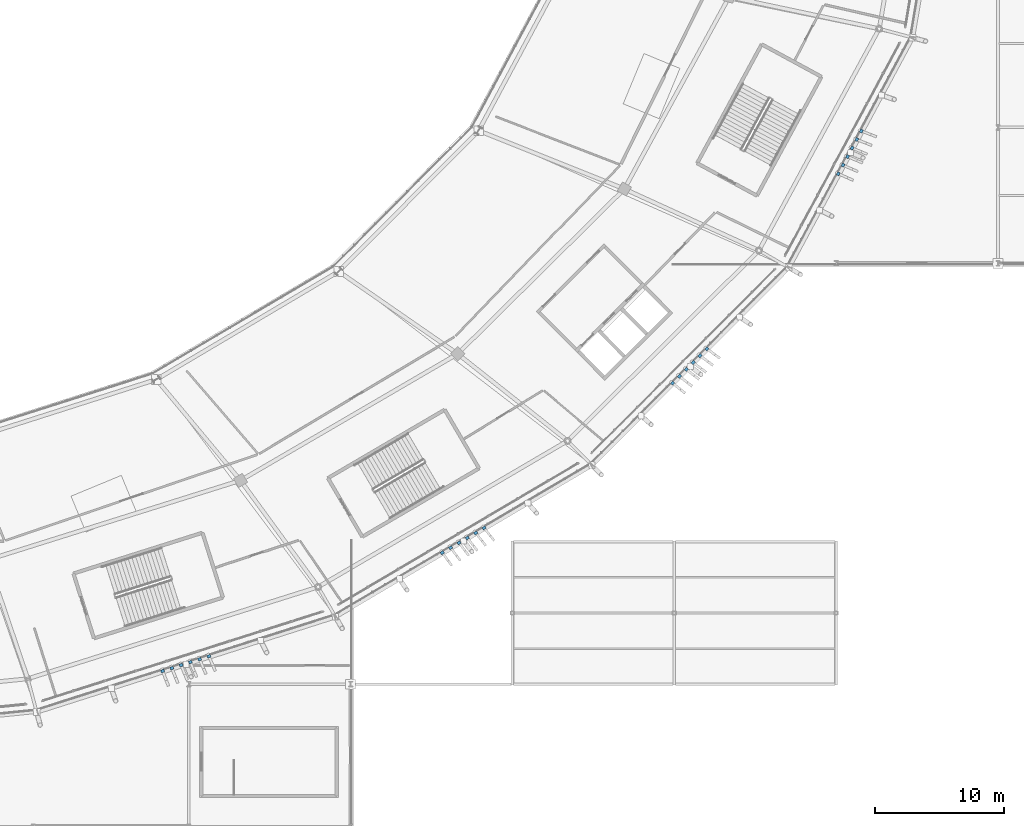
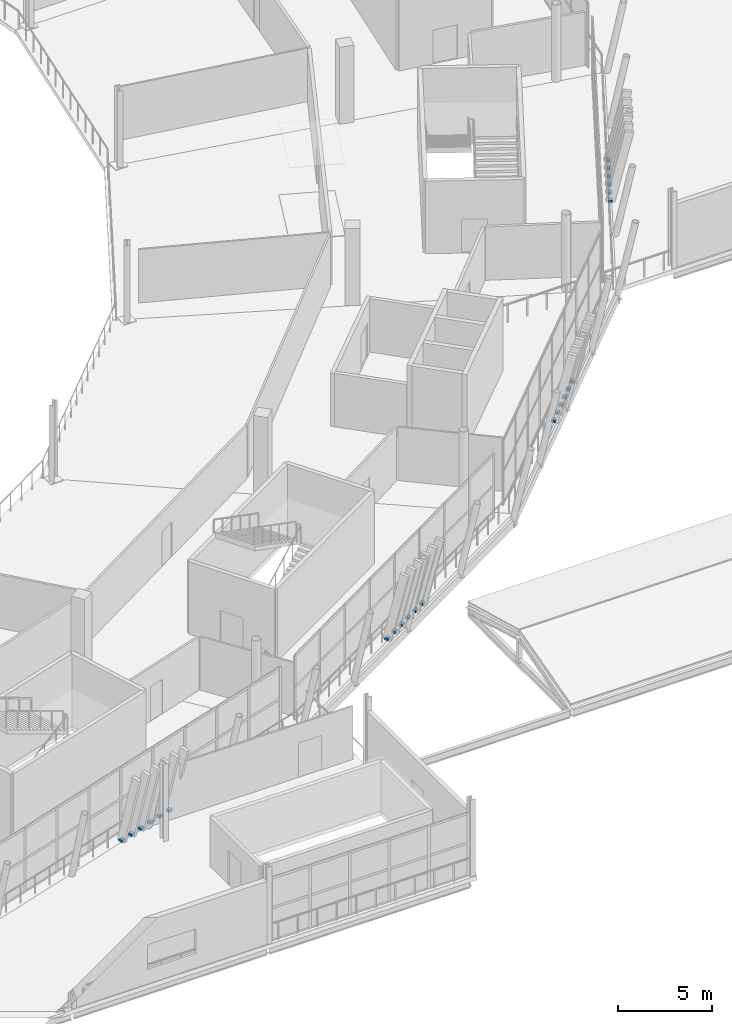
# One storey, part 142 of 179: 24 discrete accessories.
"""IFC4 building model written with IfcOpenShell, lengths in metres."""

from ifc_helpers import new_model, si_unit, direction, frame, origin, origin_2d, place, context, subcontext, project, spatial, rectangle, extrude, material, type_object, element, save


model = new_model("IFC4")

# Units and contexts
model_context = context("Model", 3, precision=1e-05, world=origin(), true_north=direction((0.0, 1.0)))
body_context = subcontext(model_context, "Body", "Model", "MODEL_VIEW")
ifc_project = project(units=[si_unit("LENGTHUNIT", "METRE"), si_unit("AREAUNIT", "SQUARE_METRE"), si_unit("VOLUMEUNIT", "CUBIC_METRE"), si_unit("PLANEANGLEUNIT", "RADIAN"), si_unit("MASSUNIT", "GRAM", prefix="KILO")], contexts=[model_context])

# Site, building, storey
site_placement = place(None, origin())
site = spatial("IfcSite", under=ifc_project, at=site_placement, CompositionType="ELEMENT")
building_placement = place(site_placement, origin())
building = spatial("IfcBuilding", under=site, at=building_placement, Name="Zlatoyarsky Gate Stadium", CompositionType="ELEMENT")
storey_placement = place(building_placement, frame((0.0, 0.0, 10.60009765625)))
storey = spatial("IfcBuildingStorey", under=building, at=storey_placement, Name="L02", CompositionType="ELEMENT", Elevation=10.60009765625)

# Discrete accessories
ifc_material = material(Name="Steel S355", Category="steel")
discrete_accessory_type = type_object("IfcDiscreteAccessoryType", Name="STEEL LOUVRE ANCHOR BRACKET 260X220X160", PredefinedType="BRACKET", material=ifc_material)
for number, where, z_axis, x_axis, name in (
    (1, (145.483642578125, 12.018310546875, -0.02001953125), (0.0, 0.0, 1.0), (0.952730972703, 0.303815229459, 0.0), "Louvre anchor bracket L02-19-1"),
    (2, (146.1982421875, 12.24609375, -0.02001953125), (0.0, 0.0, 1.0), (0.952730972703, 0.303815229459, 0.0), "Louvre anchor bracket L02-19-2"),
    (3, (146.91259765625, 12.47412109375, -0.02001953125), (0.0, 0.0, 1.0), (0.952730972703, 0.303815229459, 0.0), "Louvre anchor bracket L02-19-3"),
    (4, (147.627197265625, 12.701904296875, -0.02001953125), (0.0, 0.0, 1.0), (0.952730972703, 0.303815229459, 0.0), "Louvre anchor bracket L02-19-4"),
    (5, (148.341796875, 12.9296875, -0.02001953125), (0.0, 0.0, 1.0), (0.952730972703, 0.303815229459, 0.0), "Louvre anchor bracket L02-19-5"),
    (6, (149.056396484375, 13.15771484375, -0.02001953125), (0.0, 0.0, 1.0), (0.952730972703, 0.303815229459, 0.0), "Louvre anchor bracket L02-19-6"),
    (7, (167.0830078125, 21.158203125, -0.02001953125), (0.0, 0.0, 1.0), (0.860991539647, 0.508619276725, 0.0), "Louvre anchor bracket L02-20-1"),
    (8, (167.728515625, 21.539794921875, -0.02001953125), (0.0, 0.0, 1.0), (0.860991539647, 0.508619276725, 0.0), "Louvre anchor bracket L02-20-2"),
    (9, (168.37451171875, 21.921142578125, -0.02001953125), (0.0, 0.0, 1.0), (0.860991539647, 0.508619276725, 0.0), "Louvre anchor bracket L02-20-3"),
    (10, (169.02001953125, 22.302734375, -0.02001953125), (0.0, 0.0, 1.0), (0.860991539647, 0.508619276725, 0.0), "Louvre anchor bracket L02-20-4"),
    (11, (169.666015625, 22.68408203125, -0.02001953125), (0.0, 0.0, 1.0), (0.860991539647, 0.508619276725, 0.0), "Louvre anchor bracket L02-20-5"),
    (12, (170.3115234375, 23.065673828125, -0.02001953125), (0.0, 0.0, 1.0), (0.860991539647, 0.508619276725, 0.0), "Louvre anchor bracket L02-20-6"),
    (13, (184.868896484375, 34.2529296875, -0.02001953125), (0.0, 0.0, 1.0), (0.705939476403, 0.708272162135, 0.0), "Louvre anchor bracket L02-21-1"),
    (14, (185.398193359375, 34.7841796875, -0.02001953125), (0.0, 0.0, 1.0), (0.705939476403, 0.708272162135, 0.0), "Louvre anchor bracket L02-21-2"),
    (15, (185.927734375, 35.315185546875, -0.02001953125), (0.0, 0.0, 1.0), (0.705939476403, 0.708272162135, 0.0), "Louvre anchor bracket L02-21-3"),
    (16, (186.457275390625, 35.846435546875, -0.02001953125), (0.0, 0.0, 1.0), (0.705939476403, 0.708272162135, 0.0), "Louvre anchor bracket L02-21-4"),
    (17, (186.98681640625, 36.377685546875, -0.02001953125), (0.0, 0.0, 1.0), (0.705939476403, 0.708272162135, 0.0), "Louvre anchor bracket L02-21-5"),
    (18, (187.51611328125, 36.908935546875, -0.02001953125), (0.0, 0.0, 1.0), (0.705939476403, 0.708272162135, 0.0), "Louvre anchor bracket L02-21-6"),
    (19, (197.675048828125, 50.42578125, -0.02001953125), (0.0, 0.0, 1.0), (0.473803939067, 0.880630357939, 0.0), "Louvre anchor bracket L02-22-1"),
    (20, (198.030517578125, 51.086181640625, -0.02001953125), (0.0, 0.0, 1.0), (0.473803939067, 0.880630357939, 0.0), "Louvre anchor bracket L02-22-2"),
    (21, (198.3857421875, 51.746826171875, -0.02001953125), (0.0, 0.0, 1.0), (0.473803939067, 0.880630357939, 0.0), "Louvre anchor bracket L02-22-3"),
    (22, (198.7412109375, 52.4072265625, -0.02001953125), (0.0, 0.0, 1.0), (0.473803939067, 0.880630357939, 0.0), "Louvre anchor bracket L02-22-4"),
    (23, (199.096435546875, 53.067626953125, -0.02001953125), (0.0, 0.0, 1.0), (0.473803939067, 0.880630357939, 0.0), "Louvre anchor bracket L02-22-5"),
    (24, (199.451904296875, 53.728271484375, -0.02001953125), (0.0, 0.0, 1.0), (0.473803939067, 0.880630357939, 0.0), "Louvre anchor bracket L02-22-6"),
):
    element("IfcDiscreteAccessory", number, at=place(storey_placement, frame(where, z_axis=z_axis, x_axis=x_axis)), inside=storey, type_object=discrete_accessory_type, Name=name, PredefinedType="BRACKET", context=body_context, shape_type="SweptSolid", body=[
        extrude(rectangle(XDim=0.260009765625, YDim=0.219970703125, at=origin_2d()), origin(), (0.0, 0.0, 1.0), 0.159912109375),
    ])

save(model, "model.ifc")
